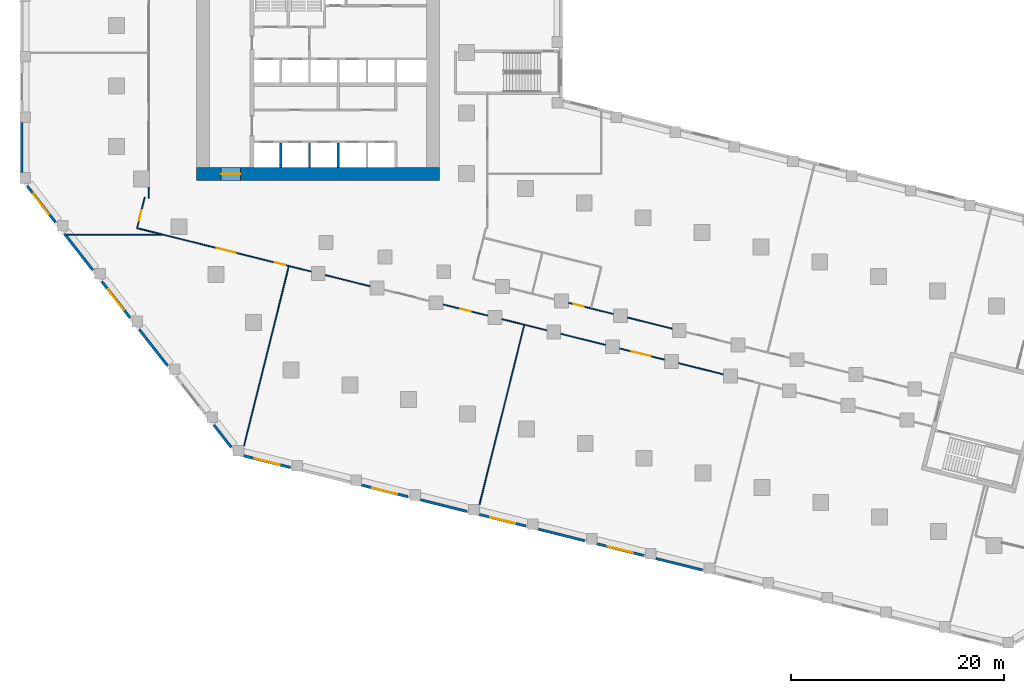
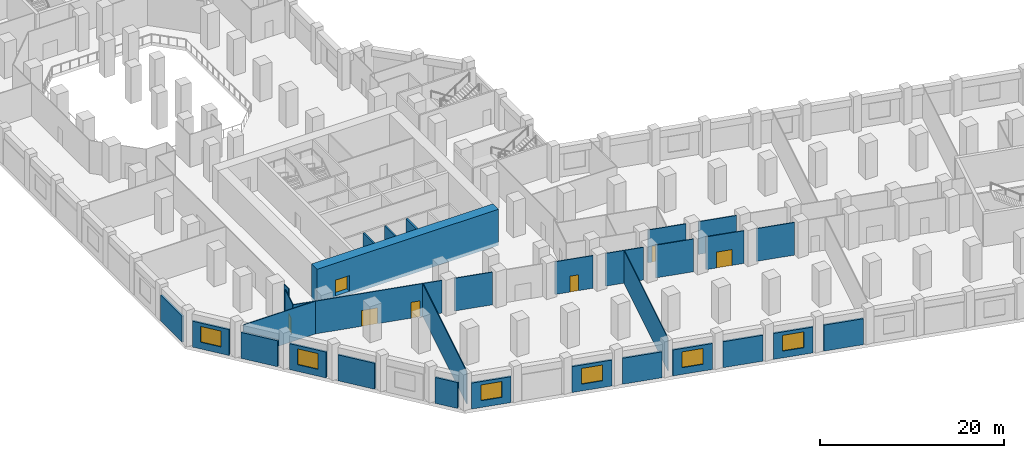
# One storey, part 3 of 16: 31 walls, 7 doors, 6 windows, 13 openings.
"""IFC4 building model written with IfcOpenShell, lengths in metres."""

import ifcopenshell
import ifcopenshell.guid

model = None  # the IFC model being written
_history = None  # IfcOwnerHistory: only IFC2X3 demands one
_inside = {}  # id of a spatial element -> (the spatial element, [elements in it])
_under = {}  # id of a project, library or spatial element -> (it, [spatial elements below it])
_declared = {}  # id of a project -> (the project, [libraries it declares])
_typed = {}  # id of a type object -> (the type object, [elements of that type])
_made_of = {}  # id of a material, layer set ... -> (it, [elements and type objects made of it])


def new_model(schema):
    """Start an empty IFC model of exactly this schema.

    Asked for "IFC4X3", IfcOpenShell would pick the latest addendum, in which some entities
    have other attributes; the version numbers below select the first issue.
    IFC2X3 requires an IfcOwnerHistory on every rooted entity: one is made here for all.
    """
    global model, _history
    if schema == "IFC4X3":
        model = ifcopenshell.file(schema_version=(4, 3, 0, 0))
    else:
        model = ifcopenshell.file(schema=schema)
    _inside.clear()
    _under.clear()
    _declared.clear()
    _typed.clear()
    _made_of.clear()
    _history = None
    if model.schema == "IFC2X3":
        org = make("IfcOrganization", Name="unknown")
        user = make(
            "IfcPersonAndOrganization",
            ThePerson=make("IfcPerson", FamilyName="unknown"),
            TheOrganization=org,
        )
        app = make(
            "IfcApplication",
            ApplicationDeveloper=org,
            Version="unknown",
            ApplicationFullName="unknown",
            ApplicationIdentifier="unknown",
        )
        _history = make(
            "IfcOwnerHistory",
            OwningUser=user,
            OwningApplication=app,
            ChangeAction="ADDED",
            CreationDate=0,
        )
    return model


def make(cls, **values):
    """One entity of the class cls with the attributes given. An attribute that is None is left unset."""
    return model.create_entity(
        cls, **{name: value for name, value in values.items() if value is not None}
    )


def rooted(cls, **values):
    """An entity with a GlobalId (a new one), such as an element, a storey or a relation."""
    return make(cls, GlobalId=ifcopenshell.guid.new(), OwnerHistory=_history, **values)


def si_unit(unit_type, name, prefix=None):
    """IfcSIUnit, for example si_unit("LENGTHUNIT", "METRE", prefix="MILLI")."""
    return make("IfcSIUnit", UnitType=unit_type, Prefix=prefix, Name=name)


def assignment(units):
    """IfcUnitAssignment: the units of a project."""
    return None if units is None else make("IfcUnitAssignment", Units=units)


def point(xyz):
    """IfcCartesianPoint."""
    return None if xyz is None else make("IfcCartesianPoint", Coordinates=xyz)


def direction(xyz):
    """IfcDirection."""
    return None if xyz is None else make("IfcDirection", DirectionRatios=xyz)


def frame(location, z_axis=None, x_axis=None):
    """IfcAxis2Placement3D, a coordinate frame: its origin and axes. An axis left out is left unset."""
    return make(
        "IfcAxis2Placement3D",
        Location=point(location),
        Axis=direction(z_axis),
        RefDirection=direction(x_axis),
    )


def frame_2d(location, x_axis=None):
    """IfcAxis2Placement2D, a coordinate frame in the plane: its origin and x axis."""
    return make(
        "IfcAxis2Placement2D", Location=point(location), RefDirection=direction(x_axis)
    )


def origin():
    """The frame at (0, 0, 0) with its axes left unset."""
    return frame((0.0, 0.0, 0.0))


def place(relative_to, where):
    """IfcLocalPlacement: puts the frame where relative to a parent placement (None: the world)."""
    return make(
        "IfcLocalPlacement", PlacementRelTo=relative_to, RelativePlacement=where
    )


def context(
    kind, dimensions, precision=None, world=None, true_north=None, identifier=None
):
    """IfcGeometricRepresentationContext, for example the 3D "Model" context."""
    return make(
        "IfcGeometricRepresentationContext",
        ContextIdentifier=identifier,
        ContextType=kind,
        CoordinateSpaceDimension=dimensions,
        Precision=precision,
        WorldCoordinateSystem=world,
        TrueNorth=true_north,
    )


def subcontext(parent, identifier, kind, view, scale=None):
    """IfcGeometricRepresentationSubContext, for example "Body" below "Model"."""
    return make(
        "IfcGeometricRepresentationSubContext",
        ContextIdentifier=identifier,
        ContextType=kind,
        ParentContext=parent,
        TargetScale=scale,
        TargetView=view,
    )


def project(units=None, contexts=None):
    """IfcProject with its units and contexts."""
    return rooted(
        "IfcProject",
        Name="project",
        RepresentationContexts=contexts,
        UnitsInContext=assignment(units),
    )


def spatial(cls, under=None, at=None, **own):
    """A site, building, storey or space (cls), placed at a placement, below another one or the project."""
    s = rooted(cls, ObjectPlacement=at, **own)
    if under is not None:
        _under.setdefault(under.id(), (under, []))[1].append(s)
    return s


def profile(cls, at=None, kind="AREA", **sizes):
    """A parametric profile (cls). Its sizes go by their IFC names, for example OverallWidth=200.0."""
    return make(cls, ProfileType=kind, Position=at, **sizes)


def rectangle(**sizes):
    """IfcRectangleProfileDef."""
    return profile("IfcRectangleProfileDef", **sizes)


def extrude(swept, where, along, depth):
    """IfcExtrudedAreaSolid: the profile swept, set in the frame where, extruded along a direction by depth."""
    return make(
        "IfcExtrudedAreaSolid",
        SweptArea=swept,
        Position=where,
        ExtrudedDirection=direction(along),
        Depth=depth,
    )


def shape(context_of_items, identifier, shape_type, items):
    """IfcShapeRepresentation: the items that make up one representation, for example the "Body"."""
    return make(
        "IfcShapeRepresentation",
        ContextOfItems=context_of_items,
        RepresentationIdentifier=identifier,
        RepresentationType=shape_type,
        Items=items,
    )


def material(Name=None, Category=None):
    """IfcMaterial."""
    return make("IfcMaterial", Name=Name, Category=Category)


def layer(
    of_material, thickness, ventilated=None, Name=None, Category=None, Priority=None
):
    """IfcMaterialLayer: one layer of a wall or slab, of a material (None: an air gap)."""
    return make(
        "IfcMaterialLayer",
        Material=of_material,
        LayerThickness=thickness,
        IsVentilated=ventilated,
        Name=Name,
        Category=Category,
        Priority=Priority,
    )


def layer_set(layers, Name=None):
    """IfcMaterialLayerSet."""
    return make("IfcMaterialLayerSet", MaterialLayers=layers, LayerSetName=Name)


def made_of(thing, what):
    """Note that an element or type object is made of a material, layer set ...; save() writes the relation."""
    if what is not None:
        _made_of.setdefault(what.id(), (what, []))[1].append(thing)
    return thing


def type_object(cls, material=None, **own):
    """A type object (cls), such as IfcWallType, which elements share."""
    return made_of(rooted(cls, **own), material)


def element(
    cls,
    number,
    at=None,
    inside=None,
    cuts=None,
    type_object=None,
    material=None,
    context=None,
    identifier="Body",
    shape_type=None,
    held_by="IfcProductDefinitionShape",
    body=None,
    shapes=None,
    **own,
):
    """One element of the class cls, such as IfcWall. Its Tag is "e" and its number.

    at: its placement. inside: the storey or other place that contains it. cuts: it is an
    opening in that element (IfcRelVoidsElement). A single representation is given by context,
    identifier, shape_type and body (its items); several are given by shapes. held_by: the class
    of the entity that holds the representations. save() writes the other relations.
    """
    e = rooted(cls, Tag="e%d" % number, ObjectPlacement=at, **own)
    if body is not None:
        shapes = [shape(context, identifier, shape_type, body)]
    if shapes is not None:
        e.Representation = make(held_by, Representations=shapes)
    if inside is not None:
        _inside.setdefault(inside.id(), (inside, []))[1].append(e)
    if cuts is not None:
        rooted(
            "IfcRelVoidsElement", RelatingBuildingElement=cuts, RelatedOpeningElement=e
        )
    if type_object is not None:
        _typed.setdefault(type_object.id(), (type_object, []))[1].append(e)
    return made_of(e, material)


def fill(opening, filler):
    """IfcRelFillsElement: the door or window that sits in an opening."""
    return rooted(
        "IfcRelFillsElement",
        RelatingOpeningElement=opening,
        RelatedBuildingElement=filler,
    )


def aggregate(whole, parts):
    """IfcRelAggregates: a whole, such as a stair, and the parts it consists of."""
    return rooted("IfcRelAggregates", RelatingObject=whole, RelatedObjects=parts)


def save(model, path):
    """Write the relations noted so far, then the file.

    IfcRelAggregates (storeys below a building ...), IfcRelContainedInSpatialStructure (elements
    in a storey), IfcRelDefinesByType, IfcRelAssociatesMaterial and IfcRelDeclares: one each for
    every whole, place, type object, material and project.
    """
    for whole, parts in _under.values():
        aggregate(whole, parts)
    for where, things in _inside.values():
        rooted(
            "IfcRelContainedInSpatialStructure",
            RelatedElements=things,
            RelatingStructure=where,
        )
    for kind, things in _typed.values():
        rooted("IfcRelDefinesByType", RelatedObjects=things, RelatingType=kind)
    for what, things in _made_of.values():
        rooted("IfcRelAssociatesMaterial", RelatedObjects=things, RelatingMaterial=what)
    for by, libraries in _declared.values():
        rooted("IfcRelDeclares", RelatingContext=by, RelatedDefinitions=libraries)
    model.write(path)


model = new_model("IFC4")

# Units and contexts
model_context = context("Model", 3, precision=1e-05, world=origin(), true_north=direction((0.0, 1.0)))
body_context = subcontext(model_context, "Body", "Model", "MODEL_VIEW")
ifc_project = project(units=[si_unit("LENGTHUNIT", "METRE"), si_unit("AREAUNIT", "SQUARE_METRE"), si_unit("VOLUMEUNIT", "CUBIC_METRE"), si_unit("PLANEANGLEUNIT", "RADIAN"), si_unit("MASSUNIT", "GRAM", prefix="KILO")], contexts=[model_context])

# Site, building, storey
site_placement = place(None, origin())
site = spatial("IfcSite", under=ifc_project, at=site_placement, CompositionType="ELEMENT")
building_placement = place(site_placement, origin())
building = spatial("IfcBuilding", under=site, at=building_placement, Name="Meshkara Civic Tower", CompositionType="ELEMENT")
storey_placement = place(building_placement, frame((0.0, 0.0, 18.60009765625)))
storey = spatial("IfcBuildingStorey", under=building, at=storey_placement, Name="L03", CompositionType="ELEMENT", Elevation=18.60009765625)

# Wall, opening, door
ifc_material_1 = material(Name="Concrete C80", Category="concrete")
ifc_layer_1 = layer(ifc_material_1, 1.199951171875)
ifc_layer_set_1 = layer_set([ifc_layer_1], Name="Core ring wall 1200 C80")
wall_type_1 = type_object("IfcWallType", Name="Core ring wall 1200 C80", PredefinedType="SHEAR", material=ifc_layer_set_1)
wall_1_placement = place(storey_placement, frame((8.0, 14.699951171875, -0.4501953125), z_axis=(0.0, 0.0, 1.0), x_axis=(1.0, 0.0, 0.0)))
wall_1 = element("IfcWall", 1, at=wall_1_placement, inside=storey, type_object=wall_type_1, Name="L03-C001", PredefinedType="SHEAR", context=body_context, shape_type="SweptSolid", body=[
    extrude(rectangle(XDim=22.800048828125, YDim=1.199951171875, at=frame_2d((11.39990234375, 0.0))), origin(), (0.0, 0.0, 1.0), 4.800048828125),
])
opening_1_placement = place(wall_1_placement, frame((2.300048828125, 0.0, 0.449951171875)))
opening_1 = element("IfcOpeningElement", 2, at=opening_1_placement, cuts=wall_1, Name="Opening L03-K020", PredefinedType="OPENING", context=body_context, shape_type="SweptSolid", body=[
    extrude(rectangle(XDim=1.800048828125, YDim=2.10009765625, at=frame_2d((0.89990234375, 1.050048828125))), frame((0.0, 0.60986328125, 0.0), z_axis=(0.0, -1.0, 0.0), x_axis=(1.0, 0.0, 0.0)), (0.0, 0.0, 1.0), 1.219970703125),
])
ifc_material_2 = material(Name="Fire-rated door leaf in steel frame", Category="steel")
door_type_1 = type_object("IfcDoorType", Name="Core double door 1800 EI 60", OperationType="DOUBLE_DOOR_SINGLE_SWING", PredefinedType="DOOR", material=ifc_material_2)
door_1_placement = place(opening_1_placement, origin())
door_1 = element("IfcDoor", 3, at=door_1_placement, inside=storey, type_object=door_type_1, Name="L03-K020", OperationType="DOUBLE_DOOR_SINGLE_SWING", OverallHeight=2.10009765625, OverallWidth=1.800048828125, PredefinedType="DOOR", context=body_context, shape_type="SweptSolid", body=[
    extrude(rectangle(XDim=1.800048828125, YDim=2.10009765625, at=frame_2d((0.89990234375, 1.050048828125))), frame((0.0, 0.02490234375, 0.0), z_axis=(0.0, -1.0, 0.0), x_axis=(1.0, 0.0, 0.0)), (0.0, 0.0, 1.0), 0.050048828125),
])
fill(opening_1, door_1)

# Wall, openings, doors
ifc_material_3 = material(Name="Corridor wall 100")
ifc_layer_2 = layer(ifc_material_3, 0.10009765625)
ifc_layer_set_2 = layer_set([ifc_layer_2], Name="Corridor wall 100")
wall_type_2 = type_object("IfcWallType", Name="Corridor wall 100", PredefinedType="PARTITIONING", material=ifc_layer_set_2)
wall_2_placement = place(storey_placement, frame((2.39501953125, 9.60595703125, 0.0), z_axis=(0.0, 0.0, 1.0), x_axis=(0.970293932043, -0.241929091763, 0.0)))
wall_2 = element("IfcWall", 4, at=wall_2_placement, inside=storey, type_object=wall_type_2, Name="L03-R007", PredefinedType="PARTITIONING", context=body_context, shape_type="SweptSolid", body=[
    extrude(rectangle(XDim=16.859619140625, YDim=0.10009765625, at=frame_2d((8.4296875, 0.0))), origin(), (0.0, 0.0, 1.0), 4.349853515625),
])
opening_2_placement = place(wall_2_placement, frame((7.743896484375, 0.0, 0.0)))
opening_2 = element("IfcOpeningElement", 5, at=opening_2_placement, cuts=wall_2, Name="Opening L03-P017", PredefinedType="OPENING", context=body_context, shape_type="SweptSolid", body=[
    extrude(rectangle(XDim=1.800048828125, YDim=2.10009765625, at=frame_2d((0.89990234375, 1.050048828125))), frame((0.0, 0.06005859375, 0.0), z_axis=(0.0, -1.0, 0.0), x_axis=(1.0, 0.0, 0.0)), (0.0, 0.0, 1.0), 0.1201171875),
])
opening_3_placement = place(wall_2_placement, frame((13.343994140625, 0.0, 0.0)))
opening_3 = element("IfcOpeningElement", 6, at=opening_3_placement, cuts=wall_2, Name="Opening L03-P018", PredefinedType="OPENING", context=body_context, shape_type="SweptSolid", body=[
    extrude(rectangle(XDim=1.0, YDim=2.10009765625, at=frame_2d((0.5, 1.050048828125))), frame((0.0, 0.06005859375, 0.0), z_axis=(0.0, -1.0, 0.0), x_axis=(1.0, 0.0, 0.0)), (0.0, 0.0, 1.0), 0.1201171875),
])
ifc_material_4 = material(Name="Door 1000 x 2100")
door_type_2 = type_object("IfcDoorType", Name="Door 1000 x 2100", OperationType="SINGLE_SWING_LEFT", PredefinedType="DOOR", material=ifc_material_4)
door_2_placement = place(opening_3_placement, origin())
door_2 = element("IfcDoor", 7, at=door_2_placement, inside=storey, type_object=door_type_2, Name="L03-P018", OperationType="SINGLE_SWING_RIGHT", OverallHeight=2.10009765625, OverallWidth=1.0, PredefinedType="DOOR", context=body_context, shape_type="SweptSolid", body=[
    extrude(rectangle(XDim=1.0, YDim=2.10009765625, at=frame_2d((0.5, 1.050048828125))), frame((0.0, 0.02490234375, 0.0), z_axis=(0.0, -1.0, 0.0), x_axis=(1.0, 0.0, 0.0)), (0.0, 0.0, 1.0), 0.050048828125),
])
fill(opening_3, door_2)
ifc_material_5 = material(Name="Door pair 1800 x 2100")
door_type_3 = type_object("IfcDoorType", Name="Door pair 1800 x 2100", OperationType="SINGLE_SWING_LEFT", PredefinedType="DOOR", material=ifc_material_5)
door_3_placement = place(opening_2_placement, origin())
door_3 = element("IfcDoor", 8, at=door_3_placement, inside=storey, type_object=door_type_3, Name="L03-P017", OperationType="DOUBLE_DOOR_SINGLE_SWING", OverallHeight=2.10009765625, OverallWidth=1.800048828125, PredefinedType="DOOR", context=body_context, shape_type="SweptSolid", body=[
    extrude(rectangle(XDim=1.800048828125, YDim=2.10009765625, at=frame_2d((0.89990234375, 1.050048828125))), frame((0.0, 0.02490234375, 0.0), z_axis=(0.0, -1.0, 0.0), x_axis=(1.0, 0.0, 0.0)), (0.0, 0.0, 1.0), 0.050048828125),
])
fill(opening_2, door_3)

# Wall, opening, door
wall_3_placement = place(storey_placement, frame((3.12109375, 12.51708984375, 0.0), z_axis=(0.0, 0.0, 1.0), x_axis=(-0.241999491975, -0.970276376031, 0.0)))
wall_3 = element("IfcWall", 9, at=wall_3_placement, inside=storey, type_object=wall_type_2, Name="L03-R008", PredefinedType="PARTITIONING", context=body_context, shape_type="SweptSolid", body=[
    extrude(rectangle(XDim=3.000244140625, YDim=0.10009765625, at=frame_2d((1.5, 0.0))), origin(), (0.0, 0.0, 1.0), 4.349853515625),
])
opening_4_placement = place(wall_3_placement, frame((1.280029296875, 0.0, 0.0)))
opening_4 = element("IfcOpeningElement", 10, at=opening_4_placement, cuts=wall_3, Name="Opening L03-P016", PredefinedType="OPENING", context=body_context, shape_type="SweptSolid", body=[
    extrude(rectangle(XDim=1.0, YDim=2.10009765625, at=frame_2d((0.5, 1.050048828125))), frame((0.0, 0.06005859375, 0.0), z_axis=(0.0, -1.0, 0.0), x_axis=(1.0, 0.0, 0.0)), (0.0, 0.0, 1.0), 0.1201171875),
])
door_4_placement = place(opening_4_placement, origin())
door_4 = element("IfcDoor", 11, at=door_4_placement, inside=storey, type_object=door_type_2, Name="L03-P016", OperationType="SINGLE_SWING_RIGHT", OverallHeight=2.10009765625, OverallWidth=1.0, PredefinedType="DOOR", context=body_context, shape_type="SweptSolid", body=[
    extrude(rectangle(XDim=1.0, YDim=2.10009765625, at=frame_2d((0.5, 1.050048828125))), frame((0.0, 0.02490234375, 0.0), z_axis=(0.0, -1.0, 0.0), x_axis=(1.0, 0.0, 0.0)), (0.0, 0.0, 1.0), 0.050048828125),
])
fill(opening_4, door_4)

# Walls
wall_4_placement = place(storey_placement, frame((3.5, 13.458984375, 0.0), z_axis=(0.0, 0.0, 1.0), x_axis=(0.0, -1.0, 0.0)))
element("IfcWall", 12, at=wall_4_placement, inside=storey, type_object=wall_type_2, Name="L03-R011", PredefinedType="PARTITIONING", context=body_context, shape_type="SweptSolid", body=[
    extrude(rectangle(XDim=1.035888671875, YDim=0.10009765625, at=frame_2d((0.51806640625, 0.0))), origin(), (0.0, 0.0, 1.0), 4.349853515625),
])
wall_5_placement = place(storey_placement, frame((20.093994140625, 5.193115234375, 0.0), z_axis=(0.0, 0.0, 1.0), x_axis=(0.970321828551, -0.241817181023, 0.0)))
element("IfcWall", 13, at=wall_5_placement, inside=storey, type_object=wall_type_2, Name="L03-R028", PredefinedType="PARTITIONING", context=body_context, shape_type="SweptSolid", body=[
    extrude(rectangle(XDim=4.318115234375, YDim=0.10009765625, at=frame_2d((2.1591796875, 0.0))), origin(), (0.0, 0.0, 1.0), 4.349853515625),
])

# Wall, opening, door
wall_6_placement = place(storey_placement, frame((31.155029296875, 2.43505859375, 0.0), z_axis=(0.0, 0.0, 1.0), x_axis=(0.97028198557, -0.241976999897, 0.0)))
wall_6 = element("IfcWall", 14, at=wall_6_placement, inside=storey, type_object=wall_type_2, Name="L03-R038", PredefinedType="PARTITIONING", context=body_context, shape_type="SweptSolid", body=[
    extrude(rectangle(XDim=4.3193359375, YDim=0.10009765625, at=frame_2d((2.15966796875, 0.0))), origin(), (0.0, 0.0, 1.0), 4.349853515625),
])
opening_5_placement = place(wall_6_placement, frame((1.679931640625, 0.0, 0.0)))
opening_5 = element("IfcOpeningElement", 15, at=opening_5_placement, cuts=wall_6, Name="Opening L03-P014", PredefinedType="OPENING", context=body_context, shape_type="SweptSolid", body=[
    extrude(rectangle(XDim=1.0, YDim=2.10009765625, at=frame_2d((0.5, 1.050048828125))), frame((0.0, 0.06005859375, 0.0), z_axis=(0.0, -1.0, 0.0), x_axis=(1.0, 0.0, 0.0)), (0.0, 0.0, 1.0), 0.1201171875),
])
door_5_placement = place(opening_5_placement, origin())
door_5 = element("IfcDoor", 16, at=door_5_placement, inside=storey, type_object=door_type_2, Name="L03-P014", OperationType="SINGLE_SWING_LEFT", OverallHeight=2.10009765625, OverallWidth=1.0, PredefinedType="DOOR", context=body_context, shape_type="SweptSolid", body=[
    extrude(rectangle(XDim=1.0, YDim=2.10009765625, at=frame_2d((0.5, 1.050048828125))), frame((0.0, 0.02490234375, 0.0), z_axis=(0.0, -1.0, 0.0), x_axis=(1.0, 0.0, 0.0)), (0.0, 0.0, 1.0), 0.050048828125),
])
fill(opening_5, door_5)

# Walls
wall_7_placement = place(storey_placement, frame((36.68603515625, 1.055908203125, 0.0), z_axis=(0.0, 0.0, 1.0), x_axis=(0.970335093604, -0.241763947107, 0.0)))
element("IfcWall", 17, at=wall_7_placement, inside=storey, type_object=wall_type_2, Name="L03-R052", PredefinedType="PARTITIONING", context=body_context, shape_type="SweptSolid", body=[
    extrude(rectangle(XDim=4.318115234375, YDim=0.10009765625, at=frame_2d((2.1591796875, 0.0))), origin(), (0.0, 0.0, 1.0), 4.349853515625),
])
wall_8_placement = place(storey_placement, frame((42.216064453125, -0.322021484375, 0.0), z_axis=(0.0, 0.0, 1.0), x_axis=(0.970295255208, -0.241923784941, 0.0)))
element("IfcWall", 18, at=wall_8_placement, inside=storey, type_object=wall_type_2, Name="L03-R055", PredefinedType="PARTITIONING", context=body_context, shape_type="SweptSolid", body=[
    extrude(rectangle(XDim=4.3193359375, YDim=0.10009765625, at=frame_2d((2.15966796875, 0.0))), origin(), (0.0, 0.0, 1.0), 4.349853515625),
])

# Wall, opening, door
wall_9_placement = place(storey_placement, frame((42.94189453125, 2.589111328125, 0.0), z_axis=(0.0, 0.0, 1.0), x_axis=(0.970285294909, -0.241963729685, 0.0)))
wall_9 = element("IfcWall", 19, at=wall_9_placement, inside=storey, type_object=wall_type_2, Name="L03-R056", PredefinedType="PARTITIONING", context=body_context, shape_type="SweptSolid", body=[
    extrude(rectangle(XDim=4.319580078125, YDim=0.10009765625, at=frame_2d((2.15966796875, 0.0))), origin(), (0.0, 0.0, 1.0), 4.349853515625),
])
opening_6_placement = place(wall_9_placement, frame((0.47998046875, 0.0, 0.0)))
opening_6 = element("IfcOpeningElement", 20, at=opening_6_placement, cuts=wall_9, Name="Opening L03-P015", PredefinedType="OPENING", context=body_context, shape_type="SweptSolid", body=[
    extrude(rectangle(XDim=1.0, YDim=2.10009765625, at=frame_2d((0.5, 1.050048828125))), frame((0.0, 0.06005859375, 0.0), z_axis=(0.0, -1.0, 0.0), x_axis=(1.0, 0.0, 0.0)), (0.0, 0.0, 1.0), 0.1201171875),
])
door_6_placement = place(opening_6_placement, origin())
door_6 = element("IfcDoor", 21, at=door_6_placement, inside=storey, type_object=door_type_2, Name="L03-P015", OperationType="SINGLE_SWING_RIGHT", OverallHeight=2.10009765625, OverallWidth=1.0, PredefinedType="DOOR", context=body_context, shape_type="SweptSolid", body=[
    extrude(rectangle(XDim=1.0, YDim=2.10009765625, at=frame_2d((0.5, 1.050048828125))), frame((0.0, 0.02490234375, 0.0), z_axis=(0.0, -1.0, 0.0), x_axis=(1.0, 0.0, 0.0)), (0.0, 0.0, 1.0), 0.050048828125),
])
fill(opening_6, door_6)

wall_10_placement = place(storey_placement, frame((47.7470703125, -1.701904296875, 0.0), z_axis=(0.0, 0.0, 1.0), x_axis=(0.970335048789, -0.241764126976, 0.0)))
wall_10 = element("IfcWall", 22, at=wall_10_placement, inside=storey, type_object=wall_type_2, Name="L03-R057", PredefinedType="PARTITIONING", context=body_context, shape_type="SweptSolid", body=[
    extrude(rectangle(XDim=4.319091796875, YDim=0.10009765625, at=frame_2d((2.15966796875, 0.0))), origin(), (0.0, 0.0, 1.0), 4.349853515625),
])
opening_7_placement = place(wall_10_placement, frame((1.179931640625, 0.0, 0.0)))
opening_7 = element("IfcOpeningElement", 23, at=opening_7_placement, cuts=wall_10, Name="Opening L03-P006", PredefinedType="OPENING", context=body_context, shape_type="SweptSolid", body=[
    extrude(rectangle(XDim=1.800048828125, YDim=2.10009765625, at=frame_2d((0.89990234375, 1.050048828125))), frame((0.0, 0.06005859375, 0.0), z_axis=(0.0, -1.0, 0.0), x_axis=(1.0, 0.0, 0.0)), (0.0, 0.0, 1.0), 0.1201171875),
])
door_7_placement = place(opening_7_placement, origin())
door_7 = element("IfcDoor", 24, at=door_7_placement, inside=storey, type_object=door_type_3, Name="L03-P006", OperationType="DOUBLE_DOOR_SINGLE_SWING", OverallHeight=2.10009765625, OverallWidth=1.800048828125, PredefinedType="DOOR", context=body_context, shape_type="SweptSolid", body=[
    extrude(rectangle(XDim=1.800048828125, YDim=2.10009765625, at=frame_2d((0.89990234375, 1.050048828125))), frame((0.0, 0.02490234375, 0.0), z_axis=(0.0, -1.0, 0.0), x_axis=(1.0, 0.0, 0.0)), (0.0, 0.0, 1.0), 0.050048828125),
])
fill(opening_7, door_7)

# Walls
for number, where, z_axis, x_axis, name in (
    (25, (52.6640625, 0.1650390625, 0.0), (0.0, 0.0, 1.0), (-0.970298563138, 0.241910517285, 0.0), "L03-R058"),
    (26, (53.278076171875, -3.0810546875, 0.0), (0.0, 0.0, 1.0), (0.970295255208, -0.241923784941, 0.0), "L03-R059"),
):
    element("IfcWall", number, at=place(storey_placement, frame(where, z_axis=z_axis, x_axis=x_axis)), inside=storey, type_object=wall_type_2, Name=name, PredefinedType="PARTITIONING", context=body_context, shape_type="SweptSolid", body=[
        extrude(rectangle(XDim=4.3193359375, YDim=0.10009765625, at=frame_2d((2.15966796875, 0.0))), origin(), (0.0, 0.0, 1.0), 4.349853515625),
    ])
ifc_material_6 = material(Name="Stone cladding on insulated backing wall", Category="masonry")
ifc_layer_3 = layer(ifc_material_6, 0.25)
ifc_layer_set_3 = layer_set([ifc_layer_3], Name="PODIUM STONE WALL 250")
wall_type_3 = type_object("IfcWallType", Name="PODIUM STONE WALL 250", PredefinedType="SOLIDWALL", material=ifc_layer_set_3)
wall_11_placement = place(storey_placement, frame((-8.425048828125, 19.510986328125, 0.0), z_axis=(0.0, 0.0, 1.0), x_axis=(0.0, -1.0, 0.0)))
element("IfcWall", 27, at=wall_11_placement, inside=storey, type_object=wall_type_3, Name="Podium external wall", PredefinedType="SOLIDWALL", context=body_context, shape_type="SweptSolid", body=[
    extrude(rectangle(XDim=4.699951171875, YDim=0.25, at=frame_2d((2.35009765625, 0.0))), origin(), (0.0, 0.0, 1.0), 3.449951171875),
])

# Wall, opening, window
wall_12_placement = place(storey_placement, frame((-7.924072265625, 13.55810546875, 0.0), z_axis=(0.0, 0.0, 1.0), x_axis=(0.615603242749, -0.788056246417, 0.0)))
wall_12 = element("IfcWall", 28, at=wall_12_placement, inside=storey, type_object=wall_type_3, Name="Podium external wall", PredefinedType="SOLIDWALL", context=body_context, shape_type="SweptSolid", body=[
    extrude(rectangle(XDim=4.296630859375, YDim=0.25, at=frame_2d((2.1484375, 0.0))), origin(), (0.0, 0.0, 1.0), 3.449951171875),
])
opening_8_placement = place(wall_12_placement, frame((0.947998046875, 0.0, 0.89990234375)))
opening_8 = element("IfcOpeningElement", 29, at=opening_8_placement, cuts=wall_12, Name="Opening PW10", PredefinedType="OPENING", context=body_context, shape_type="SweptSolid", body=[
    extrude(rectangle(XDim=2.39990234375, YDim=2.10009765625, at=frame_2d((1.199951171875, 1.050048828125))), frame((0.0, 0.135009765625, 0.0), z_axis=(0.0, -1.0, 0.0), x_axis=(1.0, 0.0, 0.0)), (0.0, 0.0, 1.0), 0.27001953125),
])
ifc_material_7 = material(Name="Tinted double glazing", Category="glass")
window_type = type_object("IfcWindowType", Name="PODIUM WINDOW 2400x2100", PartitioningType="DOUBLE_PANEL_VERTICAL", PredefinedType="WINDOW", material=ifc_material_7)
window_1_placement = place(opening_8_placement, origin())
window_1 = element("IfcWindow", 30, at=window_1_placement, inside=storey, type_object=window_type, Name="Podium window", OverallHeight=2.10009765625, OverallWidth=2.39990234375, PartitioningType="DOUBLE_PANEL_VERTICAL", PredefinedType="WINDOW", context=body_context, shape_type="SweptSolid", body=[
    extrude(rectangle(XDim=2.39990234375, YDim=2.10009765625, at=frame_2d((1.199951171875, 1.050048828125))), frame((0.0, 0.030029296875, 0.0), z_axis=(0.0, -1.0, 0.0), x_axis=(1.0, 0.0, 0.0)), (0.0, 0.0, 1.0), 0.06005859375),
])
fill(opening_8, window_1)

# Wall
wall_13_placement = place(storey_placement, frame((-4.4150390625, 9.06591796875, 0.0), z_axis=(0.0, 0.0, 1.0), x_axis=(0.615713519567, -0.787970089421, 0.0)))
element("IfcWall", 31, at=wall_13_placement, inside=storey, type_object=wall_type_3, Name="Podium external wall", PredefinedType="SOLIDWALL", context=body_context, shape_type="SweptSolid", body=[
    extrude(rectangle(XDim=4.2958984375, YDim=0.25, at=frame_2d((2.14794921875, 0.0))), origin(), (0.0, 0.0, 1.0), 3.449951171875),
])

# Wall, opening, window
wall_14_placement = place(storey_placement, frame((-0.906005859375, 4.574951171875, 0.0), z_axis=(0.0, 0.0, 1.0), x_axis=(0.61574436495, -0.787945986113, 0.0)))
wall_14 = element("IfcWall", 32, at=wall_14_placement, inside=storey, type_object=wall_type_3, Name="Podium external wall", PredefinedType="SOLIDWALL", context=body_context, shape_type="SweptSolid", body=[
    extrude(rectangle(XDim=4.297119140625, YDim=0.25, at=frame_2d((2.1484375, 0.0))), origin(), (0.0, 0.0, 1.0), 3.449951171875),
])
opening_9_placement = place(wall_14_placement, frame((0.948974609375, 0.0, 0.89990234375)))
opening_9 = element("IfcOpeningElement", 33, at=opening_9_placement, cuts=wall_14, Name="Opening PW10", PredefinedType="OPENING", context=body_context, shape_type="SweptSolid", body=[
    extrude(rectangle(XDim=2.39990234375, YDim=2.10009765625, at=frame_2d((1.199951171875, 1.050048828125))), frame((0.0, 0.135009765625, 0.0), z_axis=(0.0, -1.0, 0.0), x_axis=(1.0, 0.0, 0.0)), (0.0, 0.0, 1.0), 0.27001953125),
])
window_2_placement = place(opening_9_placement, origin())
window_2 = element("IfcWindow", 34, at=window_2_placement, inside=storey, type_object=window_type, Name="Podium window", OverallHeight=2.10009765625, OverallWidth=2.39990234375, PartitioningType="DOUBLE_PANEL_VERTICAL", PredefinedType="WINDOW", context=body_context, shape_type="SweptSolid", body=[
    extrude(rectangle(XDim=2.39990234375, YDim=2.10009765625, at=frame_2d((1.199951171875, 1.050048828125))), frame((0.0, 0.030029296875, 0.0), z_axis=(0.0, -1.0, 0.0), x_axis=(1.0, 0.0, 0.0)), (0.0, 0.0, 1.0), 0.06005859375),
])
fill(opening_9, window_2)

# Walls
wall_15_placement = place(storey_placement, frame((2.60400390625, 0.0830078125, 0.0), z_axis=(0.0, 0.0, 1.0), x_axis=(0.615603242749, -0.788056246417, 0.0)))
element("IfcWall", 35, at=wall_15_placement, inside=storey, type_object=wall_type_3, Name="Podium external wall", PredefinedType="SOLIDWALL", context=body_context, shape_type="SweptSolid", body=[
    extrude(rectangle(XDim=4.296630859375, YDim=0.25, at=frame_2d((2.1484375, 0.0))), origin(), (0.0, 0.0, 1.0), 3.449951171875),
])
wall_16_placement = place(storey_placement, frame((9.6220703125, -8.90087890625, 0.0), z_axis=(0.0, 0.0, 1.0), x_axis=(0.615703609525, -0.787977832948, 0.0)))
element("IfcWall", 36, at=wall_16_placement, inside=storey, type_object=wall_type_3, Name="Podium external wall", PredefinedType="SOLIDWALL", context=body_context, shape_type="SweptSolid", body=[
    extrude(rectangle(XDim=2.62451171875, YDim=0.25, at=frame_2d((1.312255859375, 0.0))), origin(), (0.0, 0.0, 1.0), 3.449951171875),
])

# Wall, opening, window
wall_17_placement = place(storey_placement, frame((12.43603515625, -11.783935546875, 0.0), z_axis=(0.0, 0.0, 1.0), x_axis=(0.970263990019, -0.242049147224, 0.0)))
wall_17 = element("IfcWall", 37, at=wall_17_placement, inside=storey, type_object=wall_type_3, Name="Podium external wall", PredefinedType="SOLIDWALL", context=body_context, shape_type="SweptSolid", body=[
    extrude(rectangle(XDim=4.487548828125, YDim=0.25, at=frame_2d((2.24365234375, 0.0))), origin(), (0.0, 0.0, 1.0), 3.449951171875),
])
opening_10_placement = place(wall_17_placement, frame((1.0439453125, 0.0, 0.89990234375)))
opening_10 = element("IfcOpeningElement", 38, at=opening_10_placement, cuts=wall_17, Name="Opening PW10", PredefinedType="OPENING", context=body_context, shape_type="SweptSolid", body=[
    extrude(rectangle(XDim=2.39990234375, YDim=2.10009765625, at=frame_2d((1.199951171875, 1.050048828125))), frame((0.0, 0.135009765625, 0.0), z_axis=(0.0, -1.0, 0.0), x_axis=(1.0, 0.0, 0.0)), (0.0, 0.0, 1.0), 0.27001953125),
])
window_3_placement = place(opening_10_placement, origin())
window_3 = element("IfcWindow", 39, at=window_3_placement, inside=storey, type_object=window_type, Name="Podium window", OverallHeight=2.10009765625, OverallWidth=2.39990234375, PartitioningType="DOUBLE_PANEL_VERTICAL", PredefinedType="WINDOW", context=body_context, shape_type="SweptSolid", body=[
    extrude(rectangle(XDim=2.39990234375, YDim=2.10009765625, at=frame_2d((1.199951171875, 1.050048828125))), frame((0.0, 0.030029296875, 0.0), z_axis=(0.0, -1.0, 0.0), x_axis=(1.0, 0.0, 0.0)), (0.0, 0.0, 1.0), 0.06005859375),
])
fill(opening_10, window_3)

wall_18_placement = place(storey_placement, frame((23.4970703125, -14.5419921875, 0.0), z_axis=(0.0, 0.0, 1.0), x_axis=(0.970327846266, -0.241793032904, 0.0)))
wall_18 = element("IfcWall", 40, at=wall_18_placement, inside=storey, type_object=wall_type_3, Name="Podium external wall", PredefinedType="SOLIDWALL", context=body_context, shape_type="SweptSolid", body=[
    extrude(rectangle(XDim=4.487060546875, YDim=0.25, at=frame_2d((2.24365234375, 0.0))), origin(), (0.0, 0.0, 1.0), 3.449951171875),
])
opening_11_placement = place(wall_18_placement, frame((1.0439453125, 0.0, 0.89990234375)))
opening_11 = element("IfcOpeningElement", 41, at=opening_11_placement, cuts=wall_18, Name="Opening PW10", PredefinedType="OPENING", context=body_context, shape_type="SweptSolid", body=[
    extrude(rectangle(XDim=2.39990234375, YDim=2.10009765625, at=frame_2d((1.199951171875, 1.050048828125))), frame((0.0, 0.135009765625, 0.0), z_axis=(0.0, -1.0, 0.0), x_axis=(1.0, 0.0, 0.0)), (0.0, 0.0, 1.0), 0.27001953125),
])
window_4_placement = place(opening_11_placement, origin())
window_4 = element("IfcWindow", 42, at=window_4_placement, inside=storey, type_object=window_type, Name="Podium window", OverallHeight=2.10009765625, OverallWidth=2.39990234375, PartitioningType="DOUBLE_PANEL_VERTICAL", PredefinedType="WINDOW", context=body_context, shape_type="SweptSolid", body=[
    extrude(rectangle(XDim=2.39990234375, YDim=2.10009765625, at=frame_2d((1.199951171875, 1.050048828125))), frame((0.0, 0.030029296875, 0.0), z_axis=(0.0, -1.0, 0.0), x_axis=(1.0, 0.0, 0.0)), (0.0, 0.0, 1.0), 0.06005859375),
])
fill(opening_11, window_4)

# Wall
wall_19_placement = place(storey_placement, frame((29.028076171875, -15.9208984375, 0.0), z_axis=(0.0, 0.0, 1.0), x_axis=(0.970315079753, -0.241844259813, 0.0)))
element("IfcWall", 43, at=wall_19_placement, inside=storey, type_object=wall_type_3, Name="Podium external wall", PredefinedType="SOLIDWALL", context=body_context, shape_type="SweptSolid", body=[
    extrude(rectangle(XDim=4.4873046875, YDim=0.25, at=frame_2d((2.24365234375, 0.0))), origin(), (0.0, 0.0, 1.0), 3.449951171875),
])

# Wall, opening, window
wall_20_placement = place(storey_placement, frame((34.55908203125, -17.300048828125, 0.0), z_axis=(0.0, 0.0, 1.0), x_axis=(0.970327846266, -0.241793032904, 0.0)))
wall_20 = element("IfcWall", 44, at=wall_20_placement, inside=storey, type_object=wall_type_3, Name="Podium external wall", PredefinedType="SOLIDWALL", context=body_context, shape_type="SweptSolid", body=[
    extrude(rectangle(XDim=4.487060546875, YDim=0.25, at=frame_2d((2.24365234375, 0.0))), origin(), (0.0, 0.0, 1.0), 3.449951171875),
])
opening_12_placement = place(wall_20_placement, frame((1.0439453125, 0.0, 0.89990234375)))
opening_12 = element("IfcOpeningElement", 45, at=opening_12_placement, cuts=wall_20, Name="Opening PW10", PredefinedType="OPENING", context=body_context, shape_type="SweptSolid", body=[
    extrude(rectangle(XDim=2.39990234375, YDim=2.10009765625, at=frame_2d((1.199951171875, 1.050048828125))), frame((0.0, 0.135009765625, 0.0), z_axis=(0.0, -1.0, 0.0), x_axis=(1.0, 0.0, 0.0)), (0.0, 0.0, 1.0), 0.27001953125),
])
window_5_placement = place(opening_12_placement, origin())
window_5 = element("IfcWindow", 46, at=window_5_placement, inside=storey, type_object=window_type, Name="Podium window", OverallHeight=2.10009765625, OverallWidth=2.39990234375, PartitioningType="DOUBLE_PANEL_VERTICAL", PredefinedType="WINDOW", context=body_context, shape_type="SweptSolid", body=[
    extrude(rectangle(XDim=2.39990234375, YDim=2.10009765625, at=frame_2d((1.199951171875, 1.050048828125))), frame((0.0, 0.030029296875, 0.0), z_axis=(0.0, -1.0, 0.0), x_axis=(1.0, 0.0, 0.0)), (0.0, 0.0, 1.0), 0.06005859375),
])
fill(opening_12, window_5)

# Wall
wall_21_placement = place(storey_placement, frame((40.089111328125, -18.677978515625, 0.0), z_axis=(0.0, 0.0, 1.0), x_axis=(0.970276766004, -0.241997928406, 0.0)))
element("IfcWall", 47, at=wall_21_placement, inside=storey, type_object=wall_type_3, Name="Podium external wall", PredefinedType="SOLIDWALL", context=body_context, shape_type="SweptSolid", body=[
    extrude(rectangle(XDim=4.4873046875, YDim=0.25, at=frame_2d((2.24365234375, 0.0))), origin(), (0.0, 0.0, 1.0), 3.449951171875),
])

# Wall, opening, window
wall_22_placement = place(storey_placement, frame((45.618896484375, -20.056884765625, 0.0), z_axis=(0.0, 0.0, 1.0), x_axis=(0.970279921141, -0.241985277715, 0.0)))
wall_22 = element("IfcWall", 48, at=wall_22_placement, inside=storey, type_object=wall_type_3, Name="Podium external wall", PredefinedType="SOLIDWALL", context=body_context, shape_type="SweptSolid", body=[
    extrude(rectangle(XDim=4.488525390625, YDim=0.25, at=frame_2d((2.244140625, 0.0))), origin(), (0.0, 0.0, 1.0), 3.449951171875),
])
opening_13_placement = place(wall_22_placement, frame((1.0439453125, 0.0, 0.89990234375)))
opening_13 = element("IfcOpeningElement", 49, at=opening_13_placement, cuts=wall_22, Name="Opening PW10", PredefinedType="OPENING", context=body_context, shape_type="SweptSolid", body=[
    extrude(rectangle(XDim=2.39990234375, YDim=2.10009765625, at=frame_2d((1.199951171875, 1.050048828125))), frame((0.0, 0.135009765625, 0.0), z_axis=(0.0, -1.0, 0.0), x_axis=(1.0, 0.0, 0.0)), (0.0, 0.0, 1.0), 0.27001953125),
])
window_6_placement = place(opening_13_placement, origin())
window_6 = element("IfcWindow", 50, at=window_6_placement, inside=storey, type_object=window_type, Name="Podium window", OverallHeight=2.10009765625, OverallWidth=2.39990234375, PartitioningType="DOUBLE_PANEL_VERTICAL", PredefinedType="WINDOW", context=body_context, shape_type="SweptSolid", body=[
    extrude(rectangle(XDim=2.39990234375, YDim=2.10009765625, at=frame_2d((1.199951171875, 1.050048828125))), frame((0.0, 0.030029296875, 0.0), z_axis=(0.0, -1.0, 0.0), x_axis=(1.0, 0.0, 0.0)), (0.0, 0.0, 1.0), 0.06005859375),
])
fill(opening_13, window_6)

# Walls
wall_23_placement = place(storey_placement, frame((51.14990234375, -21.43603515625, 0.0), z_axis=(0.0, 0.0, 1.0), x_axis=(0.970289506684, -0.241946839653, 0.0)))
element("IfcWall", 51, at=wall_23_placement, inside=storey, type_object=wall_type_3, Name="Podium external wall", PredefinedType="SOLIDWALL", context=body_context, shape_type="SweptSolid", body=[
    extrude(rectangle(XDim=4.48828125, YDim=0.25, at=frame_2d((2.244140625, 0.0))), origin(), (0.0, 0.0, 1.0), 3.449951171875),
])
ifc_material_8 = material(Name="Partition 100")
ifc_layer_4 = layer(ifc_material_8, 0.10009765625)
ifc_layer_set_4 = layer_set([ifc_layer_4], Name="Partition 100")
wall_type_4 = type_object("IfcWallType", Name="Partition 100", PredefinedType="PARTITIONING", material=ifc_layer_set_4)
wall_24_placement = place(storey_placement, frame((-4.204833984375, 9.0, 0.0), z_axis=(0.0, 0.0, 1.0), x_axis=(1.0, 0.0, 0.0)))
element("IfcWall", 52, at=wall_24_placement, inside=storey, type_object=wall_type_4, Name="L03-R082", PredefinedType="PARTITIONING", context=body_context, shape_type="SweptSolid", body=[
    extrude(rectangle(XDim=9.02978515625, YDim=0.10009765625, at=frame_2d((4.514892578125, 0.0))), origin(), (0.0, 0.0, 1.0), 4.349853515625),
])
wall_25_placement = place(storey_placement, frame((12.446044921875, -10.843994140625, 0.0), z_axis=(0.0, 0.0, 1.0), x_axis=(0.241923428609, 0.970295344053, 0.0)))
element("IfcWall", 53, at=wall_25_placement, inside=storey, type_object=wall_type_4, Name="L03-R087", PredefinedType="PARTITIONING", context=body_context, shape_type="SweptSolid", body=[
    extrude(rectangle(XDim=17.360595703125, YDim=0.10009765625, at=frame_2d((8.68017578125, 0.0))), origin(), (0.0, 0.0, 1.0), 4.349853515625),
])
wall_26_placement = place(storey_placement, frame((34.569091796875, -16.35888671875, 0.0), z_axis=(0.0, 0.0, 1.0), x_axis=(0.241936633614, 0.970292051557, 0.0)))
element("IfcWall", 54, at=wall_26_placement, inside=storey, type_object=wall_type_4, Name="L03-R092", PredefinedType="PARTITIONING", context=body_context, shape_type="SweptSolid", body=[
    extrude(rectangle(XDim=17.359619140625, YDim=0.10009765625, at=frame_2d((8.6796875, 0.0))), origin(), (0.0, 0.0, 1.0), 4.349853515625),
])
ifc_material_9 = material(Name="Concrete C40/50", Category="concrete")
ifc_layer_5 = layer(ifc_material_9, 0.199951171875)
ifc_layer_set_5 = layer_set([ifc_layer_5], Name="Shaft wall 200 C40/50")
wall_type_5 = type_object("IfcWallType", Name="Shaft wall 200 C40/50", PredefinedType="SOLIDWALL", material=ifc_layer_set_5)
for number, where, z_axis, x_axis, name in (
    (55, (15.89990234375, 15.300048828125, 0.0), (0.0, 0.0, 1.0), (0.0, 1.0, 0.0), "L03-C012"),
    (56, (18.60009765625, 15.300048828125, 0.0), (0.0, 0.0, 1.0), (0.0, 1.0, 0.0), "L03-C015"),
    (57, (21.300048828125, 15.300048828125, 0.0), (0.0, 0.0, 1.0), (0.0, 1.0, 0.0), "L03-C018"),
):
    element("IfcWall", number, at=place(storey_placement, frame(where, z_axis=z_axis, x_axis=x_axis)), inside=storey, type_object=wall_type_5, Name=name, PredefinedType="SOLIDWALL", context=body_context, shape_type="SweptSolid", body=[
        extrude(rectangle(XDim=2.300048828125, YDim=0.199951171875, at=frame_2d((1.14990234375, 0.0))), origin(), (0.0, 0.0, 1.0), 4.349853515625),
    ])

save(model, "model.ifc")
